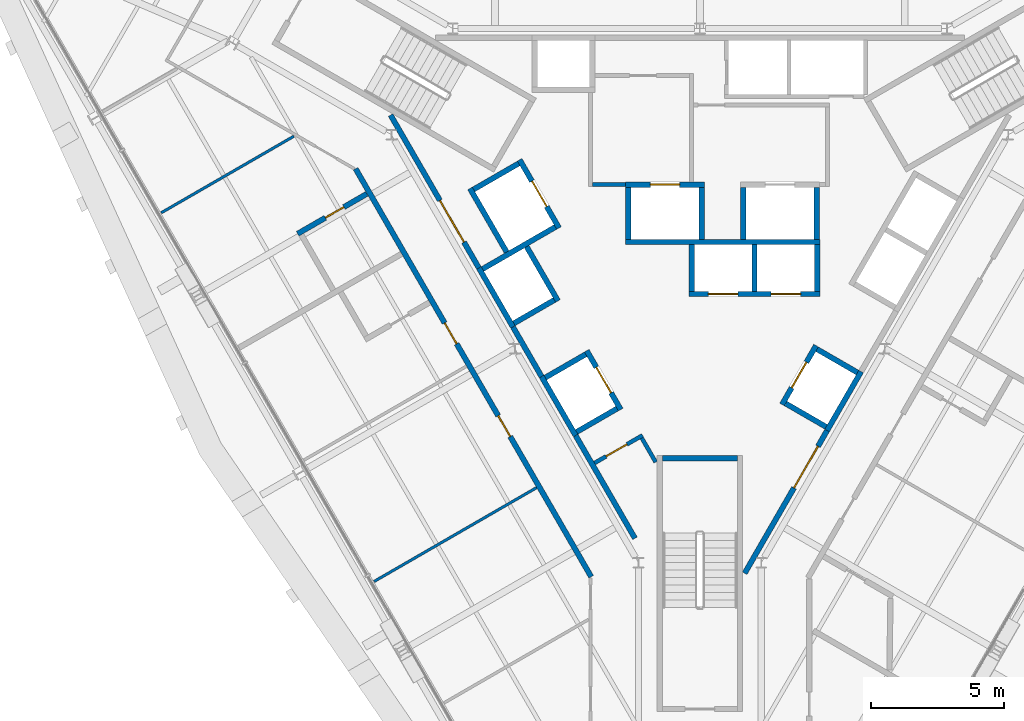
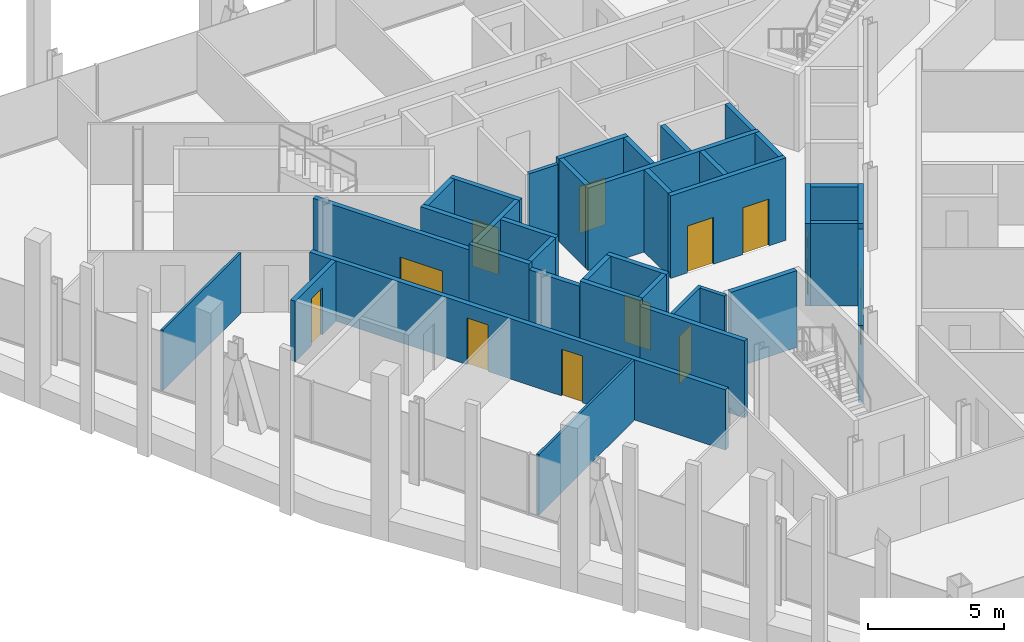
# One storey, part 8 of 13: 37 walls, 12 doors, 12 openings.
"""IFC4 building model written with IfcOpenShell, lengths in metres."""

from ifc_helpers import new_model, si_unit, direction, frame, frame_2d, origin, place, context, subcontext, project, spatial, rectangle, extrude, material, layer, layer_set, type_object, element, fill, save


model = new_model("IFC4")

# Units and contexts
model_context = context("Model", 3, precision=1e-05, world=origin(), true_north=direction((0.0, 1.0)))
body_context = subcontext(model_context, "Body", "Model", "MODEL_VIEW")
ifc_project = project(units=[si_unit("LENGTHUNIT", "METRE"), si_unit("AREAUNIT", "SQUARE_METRE"), si_unit("VOLUMEUNIT", "CUBIC_METRE"), si_unit("PLANEANGLEUNIT", "RADIAN"), si_unit("MASSUNIT", "GRAM", prefix="KILO")], contexts=[model_context])

# Site, building, storey
site_placement = place(None, origin())
site = spatial("IfcSite", under=ifc_project, at=site_placement, CompositionType="ELEMENT")
building_placement = place(site_placement, origin())
building = spatial("IfcBuilding", under=site, at=building_placement, Name="Verrane Prism Tower", CompositionType="ELEMENT")
storey_placement = place(building_placement, frame((0.0, 0.0, 171.0)))
storey = spatial("IfcBuildingStorey", under=building, at=storey_placement, Name="L42", CompositionType="ELEMENT", Elevation=171.0)

# Wall, opening, door
ifc_material_1 = material(Name="Gypsum board partition", Category="other")
ifc_layer_1 = layer(ifc_material_1, 0.199951171875)
ifc_layer_set_1 = layer_set([ifc_layer_1], Name="CW-200 core boundary wall 2 h")
wall_type_1 = type_object("IfcWallType", Name="CW-200 core boundary wall 2 h", PredefinedType="PARTITIONING", material=ifc_layer_set_1)
wall_1_placement = place(storey_placement, frame((-11.590576171875, 4.7548828125, 0.0), z_axis=(0.0, 0.0, 1.0), x_axis=(0.500043977787, -0.866000011708, 0.0)))
wall_1 = element("IfcWall", 1, at=wall_1_placement, inside=storey, type_object=wall_type_1, Name="Core boundary wall CW3-001", PredefinedType="PARTITIONING", context=body_context, shape_type="SweptSolid", body=[
    extrude(rectangle(XDim=6.61669921875, YDim=0.199951171875, at=frame_2d((3.308349609375, 0.0))), origin(), (0.0, 0.0, 1.0), 3.449951171875),
])
opening_1_placement = place(wall_1_placement, frame((3.695068359375, 0.0, 0.0)))
opening_1 = element("IfcOpeningElement", 2, at=opening_1_placement, cuts=wall_1, Name="Opening D42510", PredefinedType="OPENING", context=body_context, shape_type="SweptSolid", body=[
    extrude(rectangle(XDim=1.800048828125, YDim=2.10009765625, at=frame_2d((0.89990234375, 1.050048828125))), frame((0.0, 0.10986328125, 0.0), z_axis=(0.0, -1.0, 0.0), x_axis=(1.0, 0.0, 0.0)), (0.0, 0.0, 1.0), 0.219970703125),
])
ifc_material_2 = material(Name="Timber veneered door leaf", Category="wood")
door_type_1 = type_object("IfcDoorType", Name="DR-1800x2100 FD60 double leaf lift lobby", OperationType="NOTDEFINED", PredefinedType="DOOR", material=ifc_material_2)
door_1_placement = place(opening_1_placement, origin())
door_1 = element("IfcDoor", 3, at=door_1_placement, inside=storey, type_object=door_type_1, Name="Lift lobby door D42510", OperationType="DOUBLE_DOOR_SINGLE_SWING", OverallHeight=2.10009765625, OverallWidth=1.800048828125, PredefinedType="DOOR", context=body_context, shape_type="SweptSolid", body=[
    extrude(rectangle(XDim=1.800048828125, YDim=2.10009765625, at=frame_2d((0.89990234375, 1.050048828125))), frame((0.0, 0.02490234375, 0.0), z_axis=(0.0, -1.0, 0.0), x_axis=(1.0, 0.0, 0.0)), (0.0, 0.0, 1.0), 0.050048828125),
])
fill(opening_1, door_1)

# Walls
wall_2_placement = place(storey_placement, frame((-7.0048828125, -3.18701171875, 0.0), z_axis=(0.0, 0.0, 1.0), x_axis=(0.499689606989, -0.866204535123, 0.0)))
element("IfcWall", 4, at=wall_2_placement, inside=storey, type_object=wall_type_1, Name="Core boundary wall CW3-003", PredefinedType="PARTITIONING", context=body_context, shape_type="SweptSolid", body=[
    extrude(rectangle(XDim=2.144775390625, YDim=0.199951171875, at=frame_2d((1.072265625, 0.0))), origin(), (0.0, 0.0, 1.0), 3.449951171875),
])
wall_3_placement = place(storey_placement, frame((-4.655029296875, -7.257080078125, 0.0), z_axis=(0.0, 0.0, 1.0), x_axis=(0.499892115999, -0.866087681682, 0.0)))
element("IfcWall", 5, at=wall_3_placement, inside=storey, type_object=wall_type_1, Name="Core boundary wall CW3-004", PredefinedType="PARTITIONING", context=body_context, shape_type="SweptSolid", body=[
    extrude(rectangle(XDim=4.44287109375, YDim=0.199951171875, at=frame_2d((2.221435546875, 0.0))), origin(), (0.0, 0.0, 1.0), 3.449951171875),
])

# Wall, opening, door
wall_4_placement = place(storey_placement, frame((1.677490234375, -12.414794921875, 0.0), z_axis=(0.0, 0.0, 1.0), x_axis=(0.500054337157, 0.865994029939, 0.0)))
wall_4 = element("IfcWall", 6, at=wall_4_placement, inside=storey, type_object=wall_type_1, Name="Core boundary wall CW3-006", PredefinedType="PARTITIONING", context=body_context, shape_type="SweptSolid", body=[
    extrude(rectangle(XDim=6.176513671875, YDim=0.199951171875, at=frame_2d((3.08837890625, 0.0))), origin(), (0.0, 0.0, 1.0), 3.449951171875),
])
opening_2_placement = place(wall_4_placement, frame((3.695068359375, 0.0, 0.0)))
opening_2 = element("IfcOpeningElement", 7, at=opening_2_placement, cuts=wall_4, Name="Opening D42516", PredefinedType="OPENING", context=body_context, shape_type="SweptSolid", body=[
    extrude(rectangle(XDim=1.800048828125, YDim=2.10009765625, at=frame_2d((0.89990234375, 1.050048828125))), frame((0.0, 0.10986328125, 0.0), z_axis=(0.0, -1.0, 0.0), x_axis=(1.0, 0.0, 0.0)), (0.0, 0.0, 1.0), 0.219970703125),
])
door_2_placement = place(opening_2_placement, origin())
door_2 = element("IfcDoor", 8, at=door_2_placement, inside=storey, type_object=door_type_1, Name="Lift lobby door D42516", OperationType="DOUBLE_DOOR_SINGLE_SWING", OverallHeight=2.10009765625, OverallWidth=1.800048828125, PredefinedType="DOOR", context=body_context, shape_type="SweptSolid", body=[
    extrude(rectangle(XDim=1.800048828125, YDim=2.10009765625, at=frame_2d((0.89990234375, 1.050048828125))), frame((0.0, 0.02490234375, 0.0), z_axis=(0.0, -1.0, 0.0), x_axis=(1.0, 0.0, 0.0)), (0.0, 0.0, 1.0), 0.050048828125),
])
fill(opening_2, door_2)

# Wall
ifc_material_3 = material(Name="Concrete C40/50", Category="concrete")
ifc_layer_2 = layer(ifc_material_3, 0.199951171875)
ifc_layer_set_2 = layer_set([ifc_layer_2], Name="CW-200 stair core wall concrete C40/50 3 h")
wall_type_2 = type_object("IfcWallType", Name="CW-200 stair core wall concrete C40/50 3 h", PredefinedType="PARTITIONING", material=ifc_layer_set_2)
wall_5_placement = place(storey_placement, frame((-1.39990234375, -8.10009765625, 0.0), z_axis=(0.0, 0.0, 1.0), x_axis=(1.0, 0.0, 0.0)))
element("IfcWall", 9, at=wall_5_placement, inside=storey, type_object=wall_type_2, Name="Stair 3 enclosure wall", PredefinedType="PARTITIONING", context=body_context, shape_type="SweptSolid", body=[
    extrude(rectangle(XDim=2.7998046875, YDim=0.199951171875, at=frame_2d((1.39990234375, 0.0))), origin(), (0.0, 0.0, 1.0), 3.449951171875),
])

# Wall, openings, doors
ifc_material_4 = material(Name="Gypsum board shaft wall assembly", Category="other")
ifc_layer_3 = layer(ifc_material_4, 0.199951171875)
ifc_layer_set_3 = layer_set([ifc_layer_3], Name="HW-200 lift shaft wall 2 h")
wall_type_3 = type_object("IfcWallType", Name="HW-200 lift shaft wall 2 h", PredefinedType="PARTITIONING", material=ifc_layer_set_3)
wall_6_placement = place(storey_placement, frame((-0.405029296875, -1.949951171875, 0.0), z_axis=(0.0, 0.0, 1.0), x_axis=(1.0, 0.0, 0.0)))
wall_6 = element("IfcWall", 10, at=wall_6_placement, inside=storey, type_object=wall_type_3, Name="Lift shaft wall", PredefinedType="PARTITIONING", context=body_context, shape_type="SweptSolid", body=[
    extrude(rectangle(XDim=4.900146484375, YDim=0.199951171875, at=frame_2d((2.4501953125, 0.0))), origin(), (0.0, 0.0, 1.0), 3.699951171875),
])
opening_3_placement = place(wall_6_placement, frame((0.72509765625, 0.0, 0.0)))
opening_3 = element("IfcOpeningElement", 11, at=opening_3_placement, cuts=wall_6, Name="Opening D42503", PredefinedType="OPENING", context=body_context, shape_type="SweptSolid", body=[
    extrude(rectangle(XDim=1.10009765625, YDim=2.10009765625, at=frame_2d((0.550048828125, 1.050048828125))), frame((0.0, 0.10986328125, 0.0), z_axis=(0.0, -1.0, 0.0), x_axis=(1.0, 0.0, 0.0)), (0.0, 0.0, 1.0), 0.219970703125),
])
opening_4_placement = place(wall_6_placement, frame((3.074951171875, 0.0, 0.0)))
opening_4 = element("IfcOpeningElement", 12, at=opening_4_placement, cuts=wall_6, Name="Opening D42504", PredefinedType="OPENING", context=body_context, shape_type="SweptSolid", body=[
    extrude(rectangle(XDim=1.10009765625, YDim=2.10009765625, at=frame_2d((0.550048828125, 1.050048828125))), frame((0.0, 0.10986328125, 0.0), z_axis=(0.0, -1.0, 0.0), x_axis=(1.0, 0.0, 0.0)), (0.0, 0.0, 1.0), 0.219970703125),
])
ifc_material_5 = material(Name="Stainless steel sliding landing door", Category="steel")
door_type_2 = type_object("IfcDoorType", Name="LD-1100x2100 lift landing door FD90 sliding", OperationType="NOTDEFINED", PredefinedType="DOOR", material=ifc_material_5)
door_3_placement = place(opening_3_placement, origin())
door_3 = element("IfcDoor", 13, at=door_3_placement, inside=storey, type_object=door_type_2, Name="Bank B lift 1 landing door", OperationType="SLIDING_TO_LEFT", OverallHeight=2.10009765625, OverallWidth=1.10009765625, PredefinedType="DOOR", context=body_context, shape_type="SweptSolid", body=[
    extrude(rectangle(XDim=1.10009765625, YDim=2.10009765625, at=frame_2d((0.550048828125, 1.050048828125))), frame((0.0, 0.02490234375, 0.0), z_axis=(0.0, -1.0, 0.0), x_axis=(1.0, 0.0, 0.0)), (0.0, 0.0, 1.0), 0.050048828125),
])
fill(opening_3, door_3)
door_4_placement = place(opening_4_placement, origin())
door_4 = element("IfcDoor", 14, at=door_4_placement, inside=storey, type_object=door_type_2, Name="Bank B lift 2 landing door", OperationType="SLIDING_TO_RIGHT", OverallHeight=2.10009765625, OverallWidth=1.10009765625, PredefinedType="DOOR", context=body_context, shape_type="SweptSolid", body=[
    extrude(rectangle(XDim=1.10009765625, YDim=2.10009765625, at=frame_2d((0.550048828125, 1.050048828125))), frame((0.0, 0.02490234375, 0.0), z_axis=(0.0, -1.0, 0.0), x_axis=(1.0, 0.0, 0.0)), (0.0, 0.0, 1.0), 0.050048828125),
])
fill(opening_4, door_4)

# Wall
wall_7_placement = place(storey_placement, frame((-2.784912109375, 0.0, 0.0), z_axis=(0.0, 0.0, 1.0), x_axis=(1.0, 0.0, 0.0)))
element("IfcWall", 15, at=wall_7_placement, inside=storey, type_object=wall_type_3, Name="Lift shaft wall", PredefinedType="PARTITIONING", context=body_context, shape_type="SweptSolid", body=[
    extrude(rectangle(XDim=7.280029296875, YDim=0.199951171875, at=frame_2d((3.64013671875, 0.0))), origin(), (0.0, 0.0, 1.0), 3.699951171875),
])

# Wall, opening, door
wall_8_placement = place(storey_placement, frame((-2.784912109375, 2.14990234375, 0.0), z_axis=(0.0, 0.0, 1.0), x_axis=(1.0, 0.0, 0.0)))
wall_8 = element("IfcWall", 16, at=wall_8_placement, inside=storey, type_object=wall_type_3, Name="Lift shaft wall", PredefinedType="PARTITIONING", context=body_context, shape_type="SweptSolid", body=[
    extrude(rectangle(XDim=2.949951171875, YDim=0.199951171875, at=frame_2d((1.47509765625, 0.0))), origin(), (0.0, 0.0, 1.0), 3.699951171875),
])
opening_5_placement = place(wall_8_placement, frame((0.925048828125, 0.0, 0.0)))
opening_5 = element("IfcOpeningElement", 17, at=opening_5_placement, cuts=wall_8, Name="Opening D42507", PredefinedType="OPENING", context=body_context, shape_type="SweptSolid", body=[
    extrude(rectangle(XDim=1.10009765625, YDim=2.10009765625, at=frame_2d((0.550048828125, 1.050048828125))), frame((0.0, 0.10986328125, 0.0), z_axis=(0.0, -1.0, 0.0), x_axis=(1.0, 0.0, 0.0)), (0.0, 0.0, 1.0), 0.219970703125),
])
door_5_placement = place(opening_5_placement, origin())
door_5 = element("IfcDoor", 18, at=door_5_placement, inside=storey, type_object=door_type_2, Name="Fire service lift 1 landing door", OperationType="SLIDING_TO_LEFT", OverallHeight=2.10009765625, OverallWidth=1.10009765625, PredefinedType="DOOR", context=body_context, shape_type="SweptSolid", body=[
    extrude(rectangle(XDim=1.10009765625, YDim=2.10009765625, at=frame_2d((0.550048828125, 1.050048828125))), frame((0.0, 0.02490234375, 0.0), z_axis=(0.0, -1.0, 0.0), x_axis=(1.0, 0.0, 0.0)), (0.0, 0.0, 1.0), 0.050048828125),
])
fill(opening_5, door_5)

# Walls
for number, where, z_axis, x_axis, name in (
    (19, (-4.61962890625, -7.118408203125, 0.0), (0.0, 0.0, 1.0), (0.866036909293, 0.499980071345, 0.0), "Lift shaft wall"),
    (20, (-5.794677734375, -5.083251953125, 0.0), (0.0, 0.0, 1.0), (0.866036909293, 0.499980071345, 0.0), "Lift shaft wall"),
    (21, (-6.9697265625, -3.048095703125, 0.0), (0.0, 0.0, 1.0), (0.866036909293, 0.499980071345, 0.0), "Lift shaft wall"),
):
    element("IfcWall", number, at=place(storey_placement, frame(where, z_axis=z_axis, x_axis=x_axis)), inside=storey, type_object=wall_type_3, Name=name, PredefinedType="PARTITIONING", context=body_context, shape_type="SweptSolid", body=[
        extrude(rectangle(XDim=1.75, YDim=0.199951171875, at=frame_2d((0.875, 0.0))), origin(), (0.0, 0.0, 1.0), 3.699951171875),
    ])
wall_9_placement = place(storey_placement, frame((-8.14453125, -1.012939453125, 0.0), z_axis=(0.0, 0.0, 1.0), x_axis=(0.866016494683, 0.500015430699, 0.0)))
element("IfcWall", 22, at=wall_9_placement, inside=storey, type_object=wall_type_3, Name="Lift shaft wall", PredefinedType="PARTITIONING", context=body_context, shape_type="SweptSolid", body=[
    extrude(rectangle(XDim=3.14990234375, YDim=0.199951171875, at=frame_2d((1.574951171875, 0.0))), origin(), (0.0, 0.0, 1.0), 3.699951171875),
])
wall_10_placement = place(storey_placement, frame((-8.48046875, 1.968505859375, 0.0), z_axis=(0.0, 0.0, 1.0), x_axis=(0.866000020948, 0.500043961785, 0.0)))
element("IfcWall", 23, at=wall_10_placement, inside=storey, type_object=wall_type_3, Name="Lift shaft wall", PredefinedType="PARTITIONING", context=body_context, shape_type="SweptSolid", body=[
    extrude(rectangle(XDim=1.949951171875, YDim=0.199951171875, at=frame_2d((0.97509765625, 0.0))), origin(), (0.0, 0.0, 1.0), 3.699951171875),
])
wall_11_placement = place(storey_placement, frame((4.766357421875, -7.064697265625, 0.0), z_axis=(0.0, 0.0, 1.0), x_axis=(0.499948979701, 0.866054858364, 0.0)))
element("IfcWall", 24, at=wall_11_placement, inside=storey, type_object=wall_type_3, Name="Lift shaft wall", PredefinedType="PARTITIONING", context=body_context, shape_type="SweptSolid", body=[
    extrude(rectangle(XDim=2.550048828125, YDim=0.199951171875, at=frame_2d((1.27490234375, 0.0))), origin(), (0.0, 0.0, 1.0), 3.699951171875),
])

# Wall, opening, door
wall_12_placement = place(storey_placement, frame((3.077392578125, -6.089599609375, 0.0), z_axis=(0.0, 0.0, 1.0), x_axis=(0.500062241894, 0.865989465428, 0.0)))
wall_12 = element("IfcWall", 25, at=wall_12_placement, inside=storey, type_object=wall_type_3, Name="Lift shaft wall", PredefinedType="PARTITIONING", context=body_context, shape_type="SweptSolid", body=[
    extrude(rectangle(XDim=2.550048828125, YDim=0.199951171875, at=frame_2d((1.27490234375, 0.0))), origin(), (0.0, 0.0, 1.0), 3.699951171875),
])
opening_6_placement = place(wall_12_placement, frame((0.72509765625, 0.0, 0.0)))
opening_6 = element("IfcOpeningElement", 26, at=opening_6_placement, cuts=wall_12, Name="Opening D42505", PredefinedType="OPENING", context=body_context, shape_type="SweptSolid", body=[
    extrude(rectangle(XDim=1.10009765625, YDim=2.10009765625, at=frame_2d((0.550048828125, 1.050048828125))), frame((0.0, 0.10986328125, 0.0), z_axis=(0.0, -1.0, 0.0), x_axis=(1.0, 0.0, 0.0)), (0.0, 0.0, 1.0), 0.219970703125),
])
door_6_placement = place(opening_6_placement, origin())
door_6 = element("IfcDoor", 27, at=door_6_placement, inside=storey, type_object=door_type_2, Name="Bank B lift 3 landing door", OperationType="SLIDING_TO_LEFT", OverallHeight=2.10009765625, OverallWidth=1.10009765625, PredefinedType="DOOR", context=body_context, shape_type="SweptSolid", body=[
    extrude(rectangle(XDim=1.10009765625, YDim=2.10009765625, at=frame_2d((0.550048828125, 1.050048828125))), frame((0.0, 0.02490234375, 0.0), z_axis=(0.0, -1.0, 0.0), x_axis=(1.0, 0.0, 0.0)), (0.0, 0.0, 1.0), 0.050048828125),
])
fill(opening_6, door_6)

# Walls
wall_13_placement = place(storey_placement, frame((4.39501953125, -1.85009765625, 0.0), z_axis=(0.0, 0.0, 1.0), x_axis=(0.0, 1.0, 0.0)))
element("IfcWall", 28, at=wall_13_placement, inside=storey, type_object=wall_type_3, Name="Lift shaft wall", PredefinedType="PARTITIONING", context=body_context, shape_type="SweptSolid", body=[
    extrude(rectangle(XDim=1.75, YDim=0.199951171875, at=frame_2d((0.875, 0.0))), origin(), (0.0, 0.0, 1.0), 3.699951171875),
])
wall_14_placement = place(storey_placement, frame((4.375, 0.10009765625, 0.0), z_axis=(0.0, 0.0, 1.0), x_axis=(0.0, 1.0, 0.0)))
element("IfcWall", 29, at=wall_14_placement, inside=storey, type_object=wall_type_3, Name="Lift shaft wall", PredefinedType="PARTITIONING", context=body_context, shape_type="SweptSolid", body=[
    extrude(rectangle(XDim=1.949951171875, YDim=0.199951171875, at=frame_2d((0.97509765625, 0.0))), origin(), (0.0, 0.0, 1.0), 3.699951171875),
])
wall_15_placement = place(storey_placement, frame((2.044921875, -1.85009765625, 0.0), z_axis=(0.0, 0.0, 1.0), x_axis=(0.0, 1.0, 0.0)))
element("IfcWall", 30, at=wall_15_placement, inside=storey, type_object=wall_type_3, Name="Lift shaft wall", PredefinedType="PARTITIONING", context=body_context, shape_type="SweptSolid", body=[
    extrude(rectangle(XDim=1.75, YDim=0.199951171875, at=frame_2d((0.875, 0.0))), origin(), (0.0, 0.0, 1.0), 3.699951171875),
])
for number, where, z_axis, x_axis, name in (
    (31, (1.625, 0.10009765625, 0.0), (0.0, 0.0, 1.0), (0.0, 1.0, 0.0), "Lift shaft wall"),
    (32, (0.06494140625, 0.10009765625, 0.0), (0.0, 0.0, 1.0), (0.0, 1.0, 0.0), "Lift shaft wall"),
):
    element("IfcWall", number, at=place(storey_placement, frame(where, z_axis=z_axis, x_axis=x_axis)), inside=storey, type_object=wall_type_3, Name=name, PredefinedType="PARTITIONING", context=body_context, shape_type="SweptSolid", body=[
        extrude(rectangle(XDim=1.949951171875, YDim=0.199951171875, at=frame_2d((0.97509765625, 0.0))), origin(), (0.0, 0.0, 1.0), 3.699951171875),
    ])
wall_16_placement = place(storey_placement, frame((-0.304931640625, -1.85009765625, 0.0), z_axis=(0.0, 0.0, 1.0), x_axis=(0.0, 1.0, 0.0)))
element("IfcWall", 33, at=wall_16_placement, inside=storey, type_object=wall_type_3, Name="Lift shaft wall", PredefinedType="PARTITIONING", context=body_context, shape_type="SweptSolid", body=[
    extrude(rectangle(XDim=1.75, YDim=0.199951171875, at=frame_2d((0.875, 0.0))), origin(), (0.0, 0.0, 1.0), 3.699951171875),
])
wall_17_placement = place(storey_placement, frame((-2.68505859375, 0.10009765625, 0.0), z_axis=(0.0, 0.0, 1.0), x_axis=(0.0, 1.0, 0.0)))
element("IfcWall", 34, at=wall_17_placement, inside=storey, type_object=wall_type_3, Name="Lift shaft wall", PredefinedType="PARTITIONING", context=body_context, shape_type="SweptSolid", body=[
    extrude(rectangle(XDim=1.949951171875, YDim=0.199951171875, at=frame_2d((0.97509765625, 0.0))), origin(), (0.0, 0.0, 1.0), 3.699951171875),
])

# Wall, opening, door
wall_18_placement = place(storey_placement, frame((-5.280029296875, 0.525390625, 0.0), z_axis=(0.0, 0.0, 1.0), x_axis=(-0.500037662692, 0.866003658127, 0.0)))
wall_18 = element("IfcWall", 35, at=wall_18_placement, inside=storey, type_object=wall_type_3, Name="Lift shaft wall", PredefinedType="PARTITIONING", context=body_context, shape_type="SweptSolid", body=[
    extrude(rectangle(XDim=2.949951171875, YDim=0.199951171875, at=frame_2d((1.47509765625, 0.0))), origin(), (0.0, 0.0, 1.0), 3.699951171875),
])
opening_7_placement = place(wall_18_placement, frame((0.925048828125, 0.0, 0.0)))
opening_7 = element("IfcOpeningElement", 36, at=opening_7_placement, cuts=wall_18, Name="Opening D42509", PredefinedType="OPENING", context=body_context, shape_type="SweptSolid", body=[
    extrude(rectangle(XDim=1.10009765625, YDim=2.10009765625, at=frame_2d((0.550048828125, 1.050048828125))), frame((0.0, 0.10986328125, 0.0), z_axis=(0.0, -1.0, 0.0), x_axis=(1.0, 0.0, 0.0)), (0.0, 0.0, 1.0), 0.219970703125),
])
door_7_placement = place(opening_7_placement, origin())
door_7 = element("IfcDoor", 37, at=door_7_placement, inside=storey, type_object=door_type_2, Name="Service lift 1 landing door", OperationType="SLIDING_TO_LEFT", OverallHeight=2.10009765625, OverallWidth=1.10009765625, PredefinedType="DOOR", context=body_context, shape_type="SweptSolid", body=[
    extrude(rectangle(XDim=1.10009765625, YDim=2.10009765625, at=frame_2d((0.550048828125, 1.050048828125))), frame((0.0, 0.02490234375, 0.0), z_axis=(0.0, -1.0, 0.0), x_axis=(1.0, 0.0, 0.0)), (0.0, 0.0, 1.0), 0.050048828125),
])
fill(opening_7, door_7)

wall_19_placement = place(storey_placement, frame((-2.967529296875, -6.280029296875, 0.0), z_axis=(0.0, 0.0, 1.0), x_axis=(-0.499990435942, 0.866030925526, 0.0)))
wall_19 = element("IfcWall", 38, at=wall_19_placement, inside=storey, type_object=wall_type_3, Name="Lift shaft wall", PredefinedType="PARTITIONING", context=body_context, shape_type="SweptSolid", body=[
    extrude(rectangle(XDim=2.5498046875, YDim=0.199951171875, at=frame_2d((1.27490234375, 0.0))), origin(), (0.0, 0.0, 1.0), 3.699951171875),
])
opening_8_placement = place(wall_19_placement, frame((0.72509765625, 0.0, 0.0)))
opening_8 = element("IfcOpeningElement", 39, at=opening_8_placement, cuts=wall_19, Name="Opening D42506", PredefinedType="OPENING", context=body_context, shape_type="SweptSolid", body=[
    extrude(rectangle(XDim=1.10009765625, YDim=2.10009765625, at=frame_2d((0.550048828125, 1.050048828125))), frame((0.0, 0.10986328125, 0.0), z_axis=(0.0, -1.0, 0.0), x_axis=(1.0, 0.0, 0.0)), (0.0, 0.0, 1.0), 0.219970703125),
])
door_8_placement = place(opening_8_placement, origin())
door_8 = element("IfcDoor", 40, at=door_8_placement, inside=storey, type_object=door_type_2, Name="Bank B lift 4 landing door", OperationType="SLIDING_TO_RIGHT", OverallHeight=2.10009765625, OverallWidth=1.10009765625, PredefinedType="DOOR", context=body_context, shape_type="SweptSolid", body=[
    extrude(rectangle(XDim=1.10009765625, YDim=2.10009765625, at=frame_2d((0.550048828125, 1.050048828125))), frame((0.0, 0.02490234375, 0.0), z_axis=(0.0, -1.0, 0.0), x_axis=(1.0, 0.0, 0.0)), (0.0, 0.0, 1.0), 0.050048828125),
])
fill(opening_8, door_8)

# Walls
wall_20_placement = place(storey_placement, frame((-5.317626953125, -2.209716796875, 0.0), z_axis=(0.0, 0.0, 1.0), x_axis=(-0.499938297808, 0.866061024631, 0.0)))
element("IfcWall", 41, at=wall_20_placement, inside=storey, type_object=wall_type_3, Name="Lift shaft wall", PredefinedType="PARTITIONING", context=body_context, shape_type="SweptSolid", body=[
    extrude(rectangle(XDim=2.349853515625, YDim=0.199951171875, at=frame_2d((1.1748046875, 0.0))), origin(), (0.0, 0.0, 1.0), 3.699951171875),
])
wall_21_placement = place(storey_placement, frame((-7.241943359375, -0.37646484375, 0.0), z_axis=(0.0, 0.0, 1.0), x_axis=(-0.499996545922, 0.866027397988, 0.0)))
element("IfcWall", 42, at=wall_21_placement, inside=storey, type_object=wall_type_3, Name="Lift shaft wall", PredefinedType="PARTITIONING", context=body_context, shape_type="SweptSolid", body=[
    extrude(rectangle(XDim=2.75, YDim=0.199951171875, at=frame_2d((1.375, 0.0))), origin(), (0.0, 0.0, 1.0), 3.699951171875),
])
for number, where, z_axis, x_axis, name in (
    (43, (-4.65625, -7.255126953125, 0.0), (0.0, 0.0, 1.0), (-0.499990435942, 0.866030925526, 0.0), "Lift shaft wall"),
    (44, (-7.00634765625, -3.184814453125, 0.0), (0.0, 0.0, 1.0), (-0.499990435942, 0.866030925526, 0.0), "Lift shaft wall"),
):
    element("IfcWall", number, at=place(storey_placement, frame(where, z_axis=z_axis, x_axis=x_axis)), inside=storey, type_object=wall_type_3, Name=name, PredefinedType="PARTITIONING", context=body_context, shape_type="SweptSolid", body=[
        extrude(rectangle(XDim=2.5498046875, YDim=0.199951171875, at=frame_2d((1.27490234375, 0.0))), origin(), (0.0, 0.0, 1.0), 3.699951171875),
    ])
wall_22_placement = place(storey_placement, frame((5.904541015625, -4.892822265625, 0.0), z_axis=(0.0, 0.0, 1.0), x_axis=(-0.866002029911, 0.500040482552, 0.0)))
element("IfcWall", 45, at=wall_22_placement, inside=storey, type_object=wall_type_3, Name="Lift shaft wall", PredefinedType="PARTITIONING", context=body_context, shape_type="SweptSolid", body=[
    extrude(rectangle(XDim=1.749755859375, YDim=0.199951171875, at=frame_2d((0.875, 0.0))), origin(), (0.0, 0.0, 1.0), 3.699951171875),
])
wall_23_placement = place(storey_placement, frame((4.729736328125, -6.927978515625, 0.0), z_axis=(0.0, 0.0, 1.0), x_axis=(-0.866036909293, 0.499980071345, 0.0)))
element("IfcWall", 46, at=wall_23_placement, inside=storey, type_object=wall_type_3, Name="Lift shaft wall", PredefinedType="PARTITIONING", context=body_context, shape_type="SweptSolid", body=[
    extrude(rectangle(XDim=1.75, YDim=0.199951171875, at=frame_2d((0.875, 0.0))), origin(), (0.0, 0.0, 1.0), 3.699951171875),
])
ifc_material_6 = material(Name="Gypsum board partition", Category="other")
ifc_layer_4 = layer(ifc_material_6, 0.14990234375)
ifc_layer_set_4 = layer_set([ifc_layer_4], Name="LF-150 firefighting lobby wall 1 h")
wall_type_4 = type_object("IfcWallType", Name="LF-150 firefighting lobby wall 1 h", PredefinedType="PARTITIONING", material=ifc_layer_set_4)
wall_24_placement = place(storey_placement, frame((-4.02490234375, 2.159912109375, 0.0), z_axis=(0.0, 0.0, 1.0), x_axis=(1.0, 0.0, 0.0)))
element("IfcWall", 47, at=wall_24_placement, inside=storey, type_object=wall_type_4, Name="Firefighting lobby wall LF1-002", PredefinedType="PARTITIONING", context=body_context, shape_type="SweptSolid", body=[
    extrude(rectangle(XDim=1.23779296875, YDim=0.14990234375, at=frame_2d((0.618896484375, 0.0))), origin(), (0.0, 0.0, 1.0), 3.449951171875),
])
ifc_material_7 = material(Name="Gypsum board partition", Category="other")
ifc_layer_5 = layer(ifc_material_7, 0.10009765625)
ifc_layer_set_5 = layer_set([ifc_layer_5], Name="PW-100 room partition")
wall_type_5 = type_object("IfcWallType", Name="PW-100 room partition", PredefinedType="PARTITIONING", material=ifc_layer_set_5)
wall_25_placement = place(storey_placement, frame((-20.1865234375, 1.09423828125, 0.0), z_axis=(0.0, 0.0, 1.0), x_axis=(0.866060256018, 0.499939629302, 0.0)))
element("IfcWall", 48, at=wall_25_placement, inside=storey, type_object=wall_type_5, Name="Room partition 002", PredefinedType="PARTITIONING", context=body_context, shape_type="SweptSolid", body=[
    extrude(rectangle(XDim=5.741455078125, YDim=0.10009765625, at=frame_2d((2.87060546875, 0.0))), origin(), (0.0, 0.0, 1.0), 2.712890625),
])
wall_26_placement = place(storey_placement, frame((-12.2099609375, -12.72216796875, 0.0), z_axis=(0.0, 0.0, 1.0), x_axis=(0.866002795668, 0.500039156363, 0.0)))
element("IfcWall", 49, at=wall_26_placement, inside=storey, type_object=wall_type_5, Name="Room partition 014", PredefinedType="PARTITIONING", context=body_context, shape_type="SweptSolid", body=[
    extrude(rectangle(XDim=7.02880859375, YDim=0.10009765625, at=frame_2d((3.514404296875, 0.0))), origin(), (0.0, 0.0, 1.0), 2.712890625),
])

# Wall, opening, door
ifc_material_8 = material(Name="Gypsum board partition", Category="other")
ifc_layer_6 = layer(ifc_material_8, 0.199951171875)
ifc_layer_set_6 = layer_set([ifc_layer_6], Name="PW-200 plumbing wall")
wall_type_6 = type_object("IfcWallType", Name="PW-200 plumbing wall", PredefinedType="PARTITIONING", material=ifc_layer_set_6)
wall_27_placement = place(storey_placement, frame((-12.48095703125, 1.805419921875, 0.0), z_axis=(0.0, 0.0, 1.0), x_axis=(-0.866052556263, -0.499952967579, 0.0)))
wall_27 = element("IfcWall", 50, at=wall_27_placement, inside=storey, type_object=wall_type_6, Name="Plumbing wall 009", PredefinedType="PARTITIONING", context=body_context, shape_type="SweptSolid", body=[
    extrude(rectangle(XDim=2.994873046875, YDim=0.199951171875, at=frame_2d((1.49755859375, 0.0))), origin(), (0.0, 0.0, 1.0), 2.712890625),
])
opening_9_placement = place(wall_27_placement, frame((0.994873046875, 0.0, 0.0)))
opening_9 = element("IfcOpeningElement", 51, at=opening_9_placement, cuts=wall_27, Name="Opening D42012", PredefinedType="OPENING", context=body_context, shape_type="SweptSolid", body=[
    extrude(rectangle(XDim=0.800048828125, YDim=2.10009765625, at=frame_2d((0.39990234375, 1.050048828125))), frame((0.0, 0.10986328125, 0.0), z_axis=(0.0, -1.0, 0.0), x_axis=(1.0, 0.0, 0.0)), (0.0, 0.0, 1.0), 0.219970703125),
])
ifc_material_9 = material(Name="Timber veneered door leaf", Category="wood")
door_type_3 = type_object("IfcDoorType", Name="DR-800x2100 single leaf bath", OperationType="NOTDEFINED", PredefinedType="DOOR", material=ifc_material_9)
door_9_placement = place(opening_9_placement, origin())
door_9 = element("IfcDoor", 52, at=door_9_placement, inside=storey, type_object=door_type_3, Name="Master Bathroom door", OperationType="SINGLE_SWING_LEFT", OverallHeight=2.10009765625, OverallWidth=0.800048828125, PredefinedType="DOOR", context=body_context, shape_type="SweptSolid", body=[
    extrude(rectangle(XDim=0.800048828125, YDim=2.10009765625, at=frame_2d((0.39990234375, 1.050048828125))), frame((0.0, 0.02490234375, 0.0), z_axis=(0.0, -1.0, 0.0), x_axis=(1.0, 0.0, 0.0)), (0.0, 0.0, 1.0), 0.050048828125),
])
fill(opening_9, door_9)

# Wall, openings, doors
wall_28_placement = place(storey_placement, frame((-4.074951171875, -12.54541015625, 0.0), z_axis=(0.0, 0.0, 1.0), x_axis=(-0.499999743747, 0.866025551732, 0.0)))
wall_28 = element("IfcWall", 53, at=wall_28_placement, inside=storey, type_object=wall_type_6, Name="Plumbing wall 012", PredefinedType="PARTITIONING", context=body_context, shape_type="SweptSolid", body=[
    extrude(rectangle(XDim=17.65625, YDim=0.199951171875, at=frame_2d((8.828125, 0.0))), origin(), (0.0, 0.0, 1.0), 2.712890625),
])
opening_10_placement = place(wall_28_placement, frame((10.080078125, 0.0, 0.0)))
opening_10 = element("IfcOpeningElement", 54, at=opening_10_placement, cuts=wall_28, Name="Opening D42013", PredefinedType="OPENING", context=body_context, shape_type="SweptSolid", body=[
    extrude(rectangle(XDim=0.89990234375, YDim=2.10009765625, at=frame_2d((0.449951171875, 1.050048828125))), frame((0.0, 0.10986328125, 0.0), z_axis=(0.0, -1.0, 0.0), x_axis=(1.0, 0.0, 0.0)), (0.0, 0.0, 1.0), 0.219970703125),
])
opening_11_placement = place(wall_28_placement, frame((6.068115234375, 0.0, 0.0)))
opening_11 = element("IfcOpeningElement", 55, at=opening_11_placement, cuts=wall_28, Name="Opening D42015", PredefinedType="OPENING", context=body_context, shape_type="SweptSolid", body=[
    extrude(rectangle(XDim=0.89990234375, YDim=2.10009765625, at=frame_2d((0.449951171875, 1.050048828125))), frame((0.0, 0.10986328125, 0.0), z_axis=(0.0, -1.0, 0.0), x_axis=(1.0, 0.0, 0.0)), (0.0, 0.0, 1.0), 0.219970703125),
])
ifc_material_10 = material(Name="Timber veneered door leaf", Category="wood")
door_type_4 = type_object("IfcDoorType", Name="DR-900x2100 single leaf inner", OperationType="NOTDEFINED", PredefinedType="DOOR", material=ifc_material_10)
door_10_placement = place(opening_10_placement, origin())
door_10 = element("IfcDoor", 56, at=door_10_placement, inside=storey, type_object=door_type_4, Name="Bedroom door", OperationType="SINGLE_SWING_RIGHT", OverallHeight=2.10009765625, OverallWidth=0.89990234375, PredefinedType="DOOR", context=body_context, shape_type="SweptSolid", body=[
    extrude(rectangle(XDim=0.89990234375, YDim=2.10009765625, at=frame_2d((0.449951171875, 1.050048828125))), frame((0.0, 0.02490234375, 0.0), z_axis=(0.0, -1.0, 0.0), x_axis=(1.0, 0.0, 0.0)), (0.0, 0.0, 1.0), 0.050048828125),
])
fill(opening_10, door_10)
ifc_material_11 = material(Name="Timber veneered door leaf", Category="wood")
door_type_5 = type_object("IfcDoorType", Name="DR-900x2100 single leaf unit", OperationType="NOTDEFINED", PredefinedType="DOOR", material=ifc_material_11)
door_11_placement = place(opening_11_placement, origin())
door_11 = element("IfcDoor", 57, at=door_11_placement, inside=storey, type_object=door_type_5, Name="Study door", OperationType="SINGLE_SWING_RIGHT", OverallHeight=2.10009765625, OverallWidth=0.89990234375, PredefinedType="DOOR", context=body_context, shape_type="SweptSolid", body=[
    extrude(rectangle(XDim=0.89990234375, YDim=2.10009765625, at=frame_2d((0.449951171875, 1.050048828125))), frame((0.0, 0.02490234375, 0.0), z_axis=(0.0, -1.0, 0.0), x_axis=(1.0, 0.0, 0.0)), (0.0, 0.0, 1.0), 0.050048828125),
])
fill(opening_11, door_11)

# Wall, opening, door
ifc_material_12 = material(Name="Gypsum board partition", Category="other")
ifc_layer_7 = layer(ifc_material_12, 0.14990234375)
ifc_layer_set_7 = layer_set([ifc_layer_7], Name="RS-150 riser enclosure wall 1 h")
wall_type_7 = type_object("IfcWallType", Name="RS-150 riser enclosure wall 1 h", PredefinedType="PARTITIONING", material=ifc_layer_set_7)
wall_29_placement = place(storey_placement, frame((-2.150146484375, -7.24560546875, 0.0), z_axis=(0.0, 0.0, 1.0), x_axis=(-0.866099396229, -0.499871819421, 0.0)))
wall_29 = element("IfcWall", 58, at=wall_29_placement, inside=storey, type_object=wall_type_7, Name="Riser wall RS3-001", PredefinedType="PARTITIONING", context=body_context, shape_type="SweptSolid", body=[
    extrude(rectangle(XDim=2.0751953125, YDim=0.14990234375, at=frame_2d((1.03759765625, 0.0))), origin(), (0.0, 0.0, 1.0), 3.449951171875),
])
opening_12_placement = place(wall_29_placement, frame((0.67529296875, 0.0, 0.0)))
opening_12 = element("IfcOpeningElement", 59, at=opening_12_placement, cuts=wall_29, Name="Opening D42511", PredefinedType="OPENING", context=body_context, shape_type="SweptSolid", body=[
    extrude(rectangle(XDim=0.89990234375, YDim=2.10009765625, at=frame_2d((0.449951171875, 1.050048828125))), frame((0.0, 0.0849609375, 0.0), z_axis=(0.0, -1.0, 0.0), x_axis=(1.0, 0.0, 0.0)), (0.0, 0.0, 1.0), 0.169921875),
])
ifc_material_13 = material(Name="Timber veneered door leaf", Category="wood")
door_type_6 = type_object("IfcDoorType", Name="DR-900x2100 FD20 single leaf store", OperationType="NOTDEFINED", PredefinedType="DOOR", material=ifc_material_13)
door_12_placement = place(opening_12_placement, origin())
door_12 = element("IfcDoor", 60, at=door_12_placement, inside=storey, type_object=door_type_6, Name="Room door D42511", OperationType="SINGLE_SWING_RIGHT", OverallHeight=2.10009765625, OverallWidth=0.89990234375, PredefinedType="DOOR", context=body_context, shape_type="SweptSolid", body=[
    extrude(rectangle(XDim=0.89990234375, YDim=2.10009765625, at=frame_2d((0.449951171875, 1.050048828125))), frame((0.0, 0.02490234375, 0.0), z_axis=(0.0, -1.0, 0.0), x_axis=(1.0, 0.0, 0.0)), (0.0, 0.0, 1.0), 0.050048828125),
])
fill(opening_12, door_12)

# Wall
wall_30_placement = place(storey_placement, frame((-2.177490234375, -7.347900390625, 0.0), z_axis=(0.0, 0.0, 1.0), x_axis=(0.49972245349, -0.866185586049, 0.0)))
element("IfcWall", 61, at=wall_30_placement, inside=storey, type_object=wall_type_7, Name="Riser wall RS3-002", PredefinedType="PARTITIONING", context=body_context, shape_type="SweptSolid", body=[
    extrude(rectangle(XDim=1.04052734375, YDim=0.14990234375, at=frame_2d((0.520263671875, 0.0))), origin(), (0.0, 0.0, 1.0), 3.449951171875),
])

save(model, "model.ifc")
